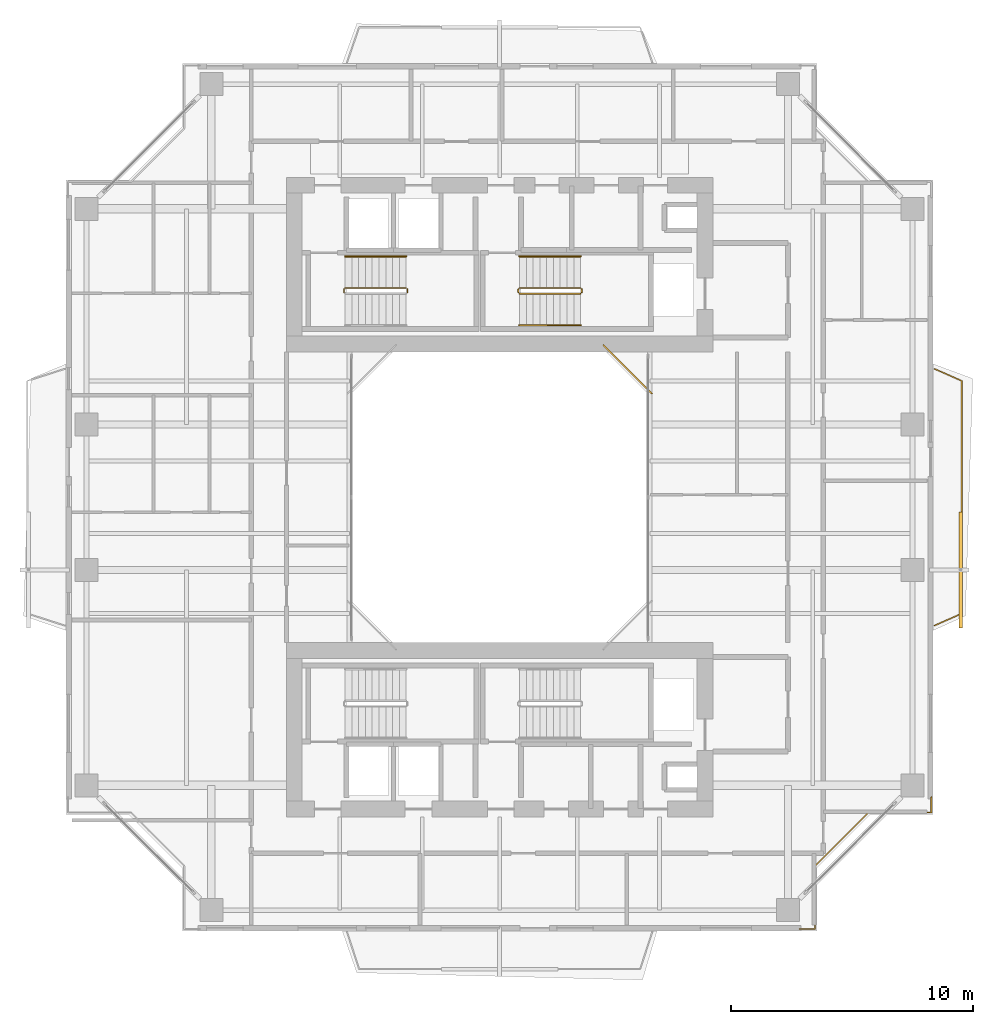
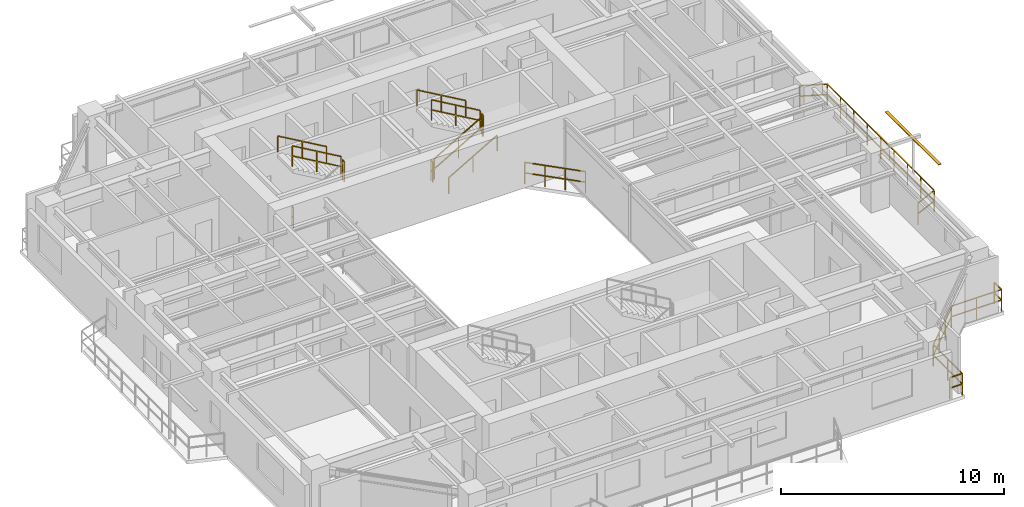
# One storey, part 16 of 17: 13 railings, 1 shading device.
"""IFC4 building model written with IfcOpenShell, lengths in metres."""

from ifc_helpers import new_model, si_unit, direction, frame, origin, origin_2d, place, context, subcontext, project, spatial, rectangle, extrude, source, transform, mapped, material, material_profile, profile_set, type_object, element, save


model = new_model("IFC4")

# Units and contexts
model_context = context("Model", 3, precision=1e-05, world=origin(), true_north=direction((0.0, 1.0)))
body_context = subcontext(model_context, "Body", "Model", "MODEL_VIEW")
ifc_project = project(units=[si_unit("LENGTHUNIT", "METRE"), si_unit("AREAUNIT", "SQUARE_METRE"), si_unit("VOLUMEUNIT", "CUBIC_METRE"), si_unit("PLANEANGLEUNIT", "RADIAN"), si_unit("MASSUNIT", "GRAM", prefix="KILO"), si_unit("THERMODYNAMICTEMPERATUREUNIT", "KELVIN"), si_unit("POWERUNIT", "WATT")], contexts=[model_context])

# Site, building, storey
site_placement = place(None, origin())
site = spatial("IfcSite", under=ifc_project, at=site_placement, CompositionType="ELEMENT")
building_placement = place(site_placement, origin())
building = spatial("IfcBuilding", under=site, at=building_placement, Name="Qiaomeng Ring Towers", CompositionType="ELEMENT")
storey_placement = place(building_placement, frame((0.0, 0.0, 150.25)))
storey = spatial("IfcBuildingStorey", under=building, at=storey_placement, Name="L43", CompositionType="ELEMENT", Elevation=150.25)

# Railings
ifc_material_1 = material(Name="Low-E pale-green laminated safety glass", Category="glass")
railing_type_1 = type_object("IfcRailingType", Name="ARC-RL-BAL1", PredefinedType="BALUSTRADE", material=ifc_material_1)
railing_1_placement = place(storey_placement, frame((25.280029296875, 27.280029296875, 0.0)))
element("IfcRailing", 1, at=railing_1_placement, inside=storey, type_object=railing_type_1, Name="L43 Balustrade ARC-BAL-WELL1-L43-2", PredefinedType="BALUSTRADE", context=body_context, shape_type="SweptSolid", body=[
    extrude(rectangle(XDim=0.048095703125, YDim=0.048095703125, at=origin_2d()), frame((0.0, 0.0, 1.17578125), z_axis=(-0.707106781187, 0.707106781187, 0.0), x_axis=(-0.707106781187, -0.707106781187, 0.0)), (0.0, 0.0, 1.0), 2.828369140625),
    extrude(rectangle(XDim=0.048095703125, YDim=0.048095703125, at=origin_2d()), frame((0.0, 0.0, 0.60009765625), z_axis=(-0.707106781187, 0.707106781187, 0.0), x_axis=(-0.707106781187, -0.707106781187, 0.0)), (0.0, 0.0, 1.0), 2.828369140625),
    extrude(rectangle(XDim=0.0419921875, YDim=0.0419921875, at=origin_2d()), origin(), (0.0, 0.0, 1.0), 1.15185546875),
    extrude(rectangle(XDim=0.0419921875, YDim=0.0419921875, at=origin_2d()), frame((-0.666748046875, 0.666748046875, 0.0)), (0.0, 0.0, 1.0), 1.15185546875),
    extrude(rectangle(XDim=0.0419921875, YDim=0.0419921875, at=origin_2d()), frame((-1.333251953125, 1.333251953125, 0.0)), (0.0, 0.0, 1.0), 1.15185546875),
    extrude(rectangle(XDim=0.0419921875, YDim=0.0419921875, at=origin_2d()), frame((-2.0, 2.0, 0.0)), (0.0, 0.0, 1.0), 1.15185546875),
])
railing_2_placement = place(storey_placement, frame((31.3701171875, 5.179931640625, 0.0)))
element("IfcRailing", 2, at=railing_2_placement, inside=storey, type_object=railing_type_1, Name="L43 Balustrade ARC-BAL-NOTCH1-L43-SE", PredefinedType="BALUSTRADE", context=body_context, shape_type="SweptSolid", body=[
    extrude(rectangle(XDim=0.048095703125, YDim=0.048095703125, at=origin_2d()), frame((0.0, 0.0, 1.17578125), z_axis=(1.0, 0.0, 0.0), x_axis=(0.0, 1.0, 0.0)), (0.0, 0.0, 1.0), 0.64990234375),
    extrude(rectangle(XDim=0.048095703125, YDim=0.048095703125, at=origin_2d()), frame((0.0, 0.0, 0.60009765625), z_axis=(1.0, 0.0, 0.0), x_axis=(0.0, 1.0, 0.0)), (0.0, 0.0, 1.0), 0.64990234375),
    extrude(rectangle(XDim=0.048095703125, YDim=0.048095703125, at=origin_2d()), frame((0.64990234375, 0.0, 1.17578125), z_axis=(0.0, 1.0, 0.0), x_axis=(-1.0, 0.0, 0.0)), (0.0, 0.0, 1.0), 2.60009765625),
    extrude(rectangle(XDim=0.048095703125, YDim=0.048095703125, at=origin_2d()), frame((0.64990234375, 0.0, 0.60009765625), z_axis=(0.0, 1.0, 0.0), x_axis=(-1.0, 0.0, 0.0)), (0.0, 0.0, 1.0), 2.60009765625),
    extrude(rectangle(XDim=0.048095703125, YDim=0.048095703125, at=origin_2d()), frame((0.64990234375, 2.60009765625, 1.17578125), z_axis=(0.707106781187, 0.707106781187, 0.0), x_axis=(-0.707106781187, 0.707106781187, 0.0)), (0.0, 0.0, 1.0), 3.111083984375),
    extrude(rectangle(XDim=0.048095703125, YDim=0.048095703125, at=origin_2d()), frame((0.64990234375, 2.60009765625, 0.60009765625), z_axis=(0.707106781187, 0.707106781187, 0.0), x_axis=(-0.707106781187, 0.707106781187, 0.0)), (0.0, 0.0, 1.0), 3.111083984375),
    extrude(rectangle(XDim=0.048095703125, YDim=0.048095703125, at=origin_2d()), frame((2.849853515625, 4.800048828125, 1.17578125), z_axis=(1.0, 0.0, 0.0), x_axis=(0.0, 1.0, 0.0)), (0.0, 0.0, 1.0), 2.60009765625),
    extrude(rectangle(XDim=0.048095703125, YDim=0.048095703125, at=origin_2d()), frame((2.849853515625, 4.800048828125, 0.60009765625), z_axis=(1.0, 0.0, 0.0), x_axis=(0.0, 1.0, 0.0)), (0.0, 0.0, 1.0), 2.60009765625),
    extrude(rectangle(XDim=0.048095703125, YDim=0.048095703125, at=origin_2d()), frame((5.449951171875, 4.800048828125, 1.17578125), z_axis=(0.0, 1.0, 0.0), x_axis=(-1.0, 0.0, 0.0)), (0.0, 0.0, 1.0), 0.64990234375),
    extrude(rectangle(XDim=0.048095703125, YDim=0.048095703125, at=origin_2d()), frame((5.449951171875, 4.800048828125, 0.60009765625), z_axis=(0.0, 1.0, 0.0), x_axis=(-1.0, 0.0, 0.0)), (0.0, 0.0, 1.0), 0.64990234375),
    extrude(rectangle(XDim=0.0419921875, YDim=0.0419921875, at=origin_2d()), origin(), (0.0, 0.0, 1.0), 1.15185546875),
    extrude(rectangle(XDim=0.0419921875, YDim=0.0419921875, at=origin_2d()), frame((0.64990234375, 0.0, 0.0)), (0.0, 0.0, 1.0), 1.15185546875),
    extrude(rectangle(XDim=0.0419921875, YDim=0.0419921875, at=origin_2d()), frame((0.64990234375, 1.300048828125, 0.0)), (0.0, 0.0, 1.0), 1.15185546875),
    extrude(rectangle(XDim=0.0419921875, YDim=0.0419921875, at=origin_2d()), frame((0.64990234375, 2.60009765625, 0.0)), (0.0, 0.0, 1.0), 1.15185546875),
    extrude(rectangle(XDim=0.0419921875, YDim=0.0419921875, at=origin_2d()), frame((1.38330078125, 3.33349609375, 0.0)), (0.0, 0.0, 1.0), 1.15185546875),
    extrude(rectangle(XDim=0.0419921875, YDim=0.0419921875, at=origin_2d()), frame((2.116455078125, 4.066650390625, 0.0)), (0.0, 0.0, 1.0), 1.15185546875),
    extrude(rectangle(XDim=0.0419921875, YDim=0.0419921875, at=origin_2d()), frame((2.849853515625, 4.800048828125, 0.0)), (0.0, 0.0, 1.0), 1.15185546875),
    extrude(rectangle(XDim=0.0419921875, YDim=0.0419921875, at=origin_2d()), frame((4.14990234375, 4.800048828125, 0.0)), (0.0, 0.0, 1.0), 1.15185546875),
    extrude(rectangle(XDim=0.0419921875, YDim=0.0419921875, at=origin_2d()), frame((5.449951171875, 4.800048828125, 0.0)), (0.0, 0.0, 1.0), 1.15185546875),
    extrude(rectangle(XDim=0.0419921875, YDim=0.0419921875, at=origin_2d()), frame((5.449951171875, 5.449951171875, 0.0)), (0.0, 0.0, 1.0), 1.15185546875),
])
railing_3_placement = place(storey_placement, frame((36.949951171875, 17.699951171875, 0.0)))
element("IfcRailing", 3, at=railing_3_placement, inside=storey, type_object=railing_type_1, Name="L43 Balustrade ARC-BAL-L43-T1-E", PredefinedType="BALUSTRADE", context=body_context, shape_type="SweptSolid", body=[
    extrude(rectangle(XDim=0.048095703125, YDim=0.048095703125, at=origin_2d()), frame((0.0, 0.0, 1.17578125), z_axis=(0.914494575002, 0.404598161504, 0.0), x_axis=(-0.404598161504, 0.914494575002, 0.0)), (0.0, 0.0, 1.0), 1.23583984375),
    extrude(rectangle(XDim=0.048095703125, YDim=0.048095703125, at=origin_2d()), frame((0.0, 0.0, 0.60009765625), z_axis=(0.914494575002, 0.404598161504, 0.0), x_axis=(-0.404598161504, 0.914494575002, 0.0)), (0.0, 0.0, 1.0), 1.23583984375),
    extrude(rectangle(XDim=0.048095703125, YDim=0.048095703125, at=origin_2d()), frame((1.130126953125, 0.5, 1.17578125), z_axis=(0.0, 1.0, 0.0), x_axis=(-1.0, 0.0, 0.0)), (0.0, 0.0, 1.0), 9.60009765625),
    extrude(rectangle(XDim=0.048095703125, YDim=0.048095703125, at=origin_2d()), frame((1.130126953125, 0.5, 0.60009765625), z_axis=(0.0, 1.0, 0.0), x_axis=(-1.0, 0.0, 0.0)), (0.0, 0.0, 1.0), 9.60009765625),
    extrude(rectangle(XDim=0.048095703125, YDim=0.048095703125, at=origin_2d()), frame((1.130126953125, 10.10009765625, 1.17578125), z_axis=(-0.914494575002, 0.404598161504, 0.0), x_axis=(-0.404598161504, -0.914494575002, 0.0)), (0.0, 0.0, 1.0), 1.23583984375),
    extrude(rectangle(XDim=0.048095703125, YDim=0.048095703125, at=origin_2d()), frame((1.130126953125, 10.10009765625, 0.60009765625), z_axis=(-0.914494575002, 0.404598161504, 0.0), x_axis=(-0.404598161504, -0.914494575002, 0.0)), (0.0, 0.0, 1.0), 1.23583984375),
    extrude(rectangle(XDim=0.0419921875, YDim=0.0419921875, at=origin_2d()), origin(), (0.0, 0.0, 1.0), 1.15185546875),
    extrude(rectangle(XDim=0.0419921875, YDim=0.0419921875, at=origin_2d()), frame((1.130126953125, 0.5, 0.0)), (0.0, 0.0, 1.0), 1.15185546875),
    extrude(rectangle(XDim=0.0419921875, YDim=0.0419921875, at=origin_2d()), frame((1.130126953125, 1.699951171875, 0.0)), (0.0, 0.0, 1.0), 1.15185546875),
    extrude(rectangle(XDim=0.0419921875, YDim=0.0419921875, at=origin_2d()), frame((1.130126953125, 2.89990234375, 0.0)), (0.0, 0.0, 1.0), 1.15185546875),
    extrude(rectangle(XDim=0.0419921875, YDim=0.0419921875, at=origin_2d()), frame((1.130126953125, 4.10009765625, 0.0)), (0.0, 0.0, 1.0), 1.15185546875),
    extrude(rectangle(XDim=0.0419921875, YDim=0.0419921875, at=origin_2d()), frame((1.130126953125, 5.300048828125, 0.0)), (0.0, 0.0, 1.0), 1.15185546875),
    extrude(rectangle(XDim=0.0419921875, YDim=0.0419921875, at=origin_2d()), frame((1.130126953125, 6.5, 0.0)), (0.0, 0.0, 1.0), 1.15185546875),
    extrude(rectangle(XDim=0.0419921875, YDim=0.0419921875, at=origin_2d()), frame((1.130126953125, 7.7001953125, 0.0)), (0.0, 0.0, 1.0), 1.15185546875),
    extrude(rectangle(XDim=0.0419921875, YDim=0.0419921875, at=origin_2d()), frame((1.130126953125, 8.900146484375, 0.0)), (0.0, 0.0, 1.0), 1.15185546875),
    extrude(rectangle(XDim=0.0419921875, YDim=0.0419921875, at=origin_2d()), frame((1.130126953125, 10.10009765625, 0.0)), (0.0, 0.0, 1.0), 1.15185546875),
    extrude(rectangle(XDim=0.0419921875, YDim=0.0419921875, at=origin_2d()), frame((0.0, 10.60009765625, 0.0)), (0.0, 0.0, 1.0), 1.15185546875),
])
ifc_material_2 = material(Name="Galvanised steel", Category="steel")
railing_type_2 = type_object("IfcRailingType", Name="ARC-RL-GUARD", PredefinedType="GUARDRAIL", material=ifc_material_2)
railing_4_placement = place(storey_placement, frame((15.18994140625, 31.449951171875, 1.625)))
element("IfcRailing", 4, at=railing_4_placement, inside=storey, type_object=railing_type_2, Name="L43 ST1 stair guard 2", PredefinedType="GUARDRAIL", context=body_context, shape_type="SweptSolid", body=[
    extrude(rectangle(XDim=0.048095703125, YDim=0.048095703125, at=origin_2d()), frame((0.0, 0.0, 1.1259765625), z_axis=(0.0, 1.0, 0.0), x_axis=(-1.0, 0.0, 0.0)), (0.0, 0.0, 1.0), 0.14013671875),
    extrude(rectangle(XDim=0.048095703125, YDim=0.048095703125, at=origin_2d()), frame((0.0, 0.0, 0.574951171875), z_axis=(0.0, 1.0, 0.0), x_axis=(-1.0, 0.0, 0.0)), (0.0, 0.0, 1.0), 0.14013671875),
    extrude(rectangle(XDim=0.0419921875, YDim=0.0419921875, at=origin_2d()), origin(), (0.0, 0.0, 1.0), 1.101806640625),
    extrude(rectangle(XDim=0.0419921875, YDim=0.0419921875, at=origin_2d()), frame((0.0, 0.14013671875, 0.0)), (0.0, 0.0, 1.0), 1.101806640625),
])
railing_5_placement = place(storey_placement, frame((15.139892578125, 31.639892578125, 1.78759765625)))
element("IfcRailing", 5, at=railing_5_placement, inside=storey, type_object=railing_type_2, Name="L43 ST1 stair guard 3", PredefinedType="GUARDRAIL", context=body_context, shape_type="SweptSolid", body=[
    extrude(rectangle(XDim=0.048095703125, YDim=0.048095703125, at=origin_2d()), frame((0.0, 0.0, 1.1259765625), z_axis=(-0.864892226395, 0.0, 0.501957604506), x_axis=(0.0, -1.0, 0.0)), (0.0, 0.0, 1.0), 2.913330078125),
    extrude(rectangle(XDim=0.048095703125, YDim=0.048095703125, at=origin_2d()), frame((0.0, 0.0, 0.574951171875), z_axis=(-0.864892226395, 0.0, 0.501957604506), x_axis=(0.0, -1.0, 0.0)), (0.0, 0.0, 1.0), 2.913330078125),
    extrude(rectangle(XDim=0.0419921875, YDim=0.0419921875, at=origin_2d()), origin(), (0.0, 0.0, 1.0), 1.101806640625),
    extrude(rectangle(XDim=0.0419921875, YDim=0.0419921875, at=origin_2d()), frame((-1.259765625, 0.0, 0.731201171875)), (0.0, 0.0, 1.0), 1.101806640625),
    extrude(rectangle(XDim=0.0419921875, YDim=0.0419921875, at=origin_2d()), frame((-2.519775390625, 0.0, 1.46240234375)), (0.0, 0.0, 1.0), 1.101806640625),
])
railing_6_placement = place(storey_placement, frame((12.570068359375, 31.449951171875, 0.0)))
element("IfcRailing", 6, at=railing_6_placement, inside=storey, type_object=railing_type_2, Name="L43 ST1 stair guard 4", PredefinedType="GUARDRAIL", context=body_context, shape_type="SweptSolid", body=[
    extrude(rectangle(XDim=0.048095703125, YDim=0.048095703125, at=origin_2d()), frame((0.0, 0.0, 1.1259765625), z_axis=(0.0, 1.0, 0.0), x_axis=(-1.0, 0.0, 0.0)), (0.0, 0.0, 1.0), 0.14013671875),
    extrude(rectangle(XDim=0.048095703125, YDim=0.048095703125, at=origin_2d()), frame((0.0, 0.0, 0.574951171875), z_axis=(0.0, 1.0, 0.0), x_axis=(-1.0, 0.0, 0.0)), (0.0, 0.0, 1.0), 0.14013671875),
    extrude(rectangle(XDim=0.0419921875, YDim=0.0419921875, at=origin_2d()), origin(), (0.0, 0.0, 1.0), 1.101806640625),
    extrude(rectangle(XDim=0.0419921875, YDim=0.0419921875, at=origin_2d()), frame((0.0, 0.14013671875, 0.0)), (0.0, 0.0, 1.0), 1.101806640625),
])
railing_7_placement = place(storey_placement, frame((19.820068359375, 31.39990234375, 0.16259765625)))
element("IfcRailing", 7, at=railing_7_placement, inside=storey, type_object=railing_type_2, Name="L43 ST2 stair guard 1", PredefinedType="GUARDRAIL", context=body_context, shape_type="SweptSolid", body=[
    extrude(rectangle(XDim=0.048095703125, YDim=0.048095703125, at=origin_2d()), frame((0.0, 0.0, 1.1259765625), z_axis=(0.864913338283, 0.0, 0.50192122615), x_axis=(0.0, 1.0, 0.0)), (0.0, 0.0, 1.0), 2.91357421875),
    extrude(rectangle(XDim=0.048095703125, YDim=0.048095703125, at=origin_2d()), frame((0.0, 0.0, 0.574951171875), z_axis=(0.864913338283, 0.0, 0.50192122615), x_axis=(0.0, 1.0, 0.0)), (0.0, 0.0, 1.0), 2.91357421875),
    extrude(rectangle(XDim=0.0419921875, YDim=0.0419921875, at=origin_2d()), origin(), (0.0, 0.0, 1.0), 1.101806640625),
    extrude(rectangle(XDim=0.0419921875, YDim=0.0419921875, at=origin_2d()), frame((1.260009765625, 0.0, 0.731201171875)), (0.0, 0.0, 1.0), 1.101806640625),
    extrude(rectangle(XDim=0.0419921875, YDim=0.0419921875, at=origin_2d()), frame((2.52001953125, 0.0, 1.46240234375)), (0.0, 0.0, 1.0), 1.101806640625),
])
railing_8_placement = place(storey_placement, frame((22.389892578125, 31.449951171875, 1.625)))
element("IfcRailing", 8, at=railing_8_placement, inside=storey, type_object=railing_type_2, Name="L43 ST2 stair guard 2", PredefinedType="GUARDRAIL", context=body_context, shape_type="SweptSolid", body=[
    extrude(rectangle(XDim=0.048095703125, YDim=0.048095703125, at=origin_2d()), frame((0.0, 0.0, 1.1259765625), z_axis=(0.0, 1.0, 0.0), x_axis=(-1.0, 0.0, 0.0)), (0.0, 0.0, 1.0), 0.14013671875),
    extrude(rectangle(XDim=0.048095703125, YDim=0.048095703125, at=origin_2d()), frame((0.0, 0.0, 0.574951171875), z_axis=(0.0, 1.0, 0.0), x_axis=(-1.0, 0.0, 0.0)), (0.0, 0.0, 1.0), 0.14013671875),
    extrude(rectangle(XDim=0.0419921875, YDim=0.0419921875, at=origin_2d()), origin(), (0.0, 0.0, 1.0), 1.101806640625),
    extrude(rectangle(XDim=0.0419921875, YDim=0.0419921875, at=origin_2d()), frame((0.0, 0.14013671875, 0.0)), (0.0, 0.0, 1.0), 1.101806640625),
])
railing_9_placement = place(storey_placement, frame((22.340087890625, 31.639892578125, 1.78759765625)))
element("IfcRailing", 9, at=railing_9_placement, inside=storey, type_object=railing_type_2, Name="L43 ST2 stair guard 3", PredefinedType="GUARDRAIL", context=body_context, shape_type="SweptSolid", body=[
    extrude(rectangle(XDim=0.048095703125, YDim=0.048095703125, at=origin_2d()), frame((0.0, 0.0, 1.1259765625), z_axis=(-0.864913338283, 0.0, 0.50192122615), x_axis=(0.0, -1.0, 0.0)), (0.0, 0.0, 1.0), 2.91357421875),
    extrude(rectangle(XDim=0.048095703125, YDim=0.048095703125, at=origin_2d()), frame((0.0, 0.0, 0.574951171875), z_axis=(-0.864913338283, 0.0, 0.50192122615), x_axis=(0.0, -1.0, 0.0)), (0.0, 0.0, 1.0), 2.91357421875),
    extrude(rectangle(XDim=0.0419921875, YDim=0.0419921875, at=origin_2d()), origin(), (0.0, 0.0, 1.0), 1.101806640625),
    extrude(rectangle(XDim=0.0419921875, YDim=0.0419921875, at=origin_2d()), frame((-1.260009765625, 0.0, 0.731201171875)), (0.0, 0.0, 1.0), 1.101806640625),
    extrude(rectangle(XDim=0.0419921875, YDim=0.0419921875, at=origin_2d()), frame((-2.52001953125, 0.0, 1.46240234375)), (0.0, 0.0, 1.0), 1.101806640625),
])
railing_10_placement = place(storey_placement, frame((19.77001953125, 31.449951171875, 0.0)))
element("IfcRailing", 10, at=railing_10_placement, inside=storey, type_object=railing_type_2, Name="L43 ST2 stair guard 4", PredefinedType="GUARDRAIL", context=body_context, shape_type="SweptSolid", body=[
    extrude(rectangle(XDim=0.048095703125, YDim=0.048095703125, at=origin_2d()), frame((0.0, 0.0, 1.1259765625), z_axis=(0.0, 1.0, 0.0), x_axis=(-1.0, 0.0, 0.0)), (0.0, 0.0, 1.0), 0.14013671875),
    extrude(rectangle(XDim=0.048095703125, YDim=0.048095703125, at=origin_2d()), frame((0.0, 0.0, 0.574951171875), z_axis=(0.0, 1.0, 0.0), x_axis=(-1.0, 0.0, 0.0)), (0.0, 0.0, 1.0), 0.14013671875),
    extrude(rectangle(XDim=0.0419921875, YDim=0.0419921875, at=origin_2d()), origin(), (0.0, 0.0, 1.0), 1.101806640625),
    extrude(rectangle(XDim=0.0419921875, YDim=0.0419921875, at=origin_2d()), frame((0.0, 0.14013671875, 0.0)), (0.0, 0.0, 1.0), 1.101806640625),
])
ifc_material_3 = material(Name="Stainless steel 316", Category="steel")
railing_type_3 = type_object("IfcRailingType", Name="ARC-RL-HAND", PredefinedType="HANDRAIL", material=ifc_material_3)
railing_11_placement = place(storey_placement, frame((15.139892578125, 32.93994140625, 1.78759765625)))
element("IfcRailing", 11, at=railing_11_placement, inside=storey, type_object=railing_type_3, Name="L43 ST1 stair handrail 2", PredefinedType="HANDRAIL", context=body_context, shape_type="SweptSolid", body=[
    extrude(rectangle(XDim=0.048095703125, YDim=0.048095703125, at=origin_2d()), frame((0.0, 0.0, 0.8759765625), z_axis=(-0.864892226395, 0.0, 0.501957604506), x_axis=(0.0, -1.0, 0.0)), (0.0, 0.0, 1.0), 2.913330078125),
    extrude(rectangle(XDim=0.0419921875, YDim=0.0419921875, at=origin_2d()), origin(), (0.0, 0.0, 1.0), 0.851806640625),
    extrude(rectangle(XDim=0.0419921875, YDim=0.0419921875, at=origin_2d()), frame((-1.259765625, 0.0, 0.731201171875)), (0.0, 0.0, 1.0), 0.851806640625),
    extrude(rectangle(XDim=0.0419921875, YDim=0.0419921875, at=origin_2d()), frame((-2.519775390625, 0.0, 1.46240234375)), (0.0, 0.0, 1.0), 0.851806640625),
])
railing_12_placement = place(storey_placement, frame((19.820068359375, 30.10009765625, 0.16259765625)))
element("IfcRailing", 12, at=railing_12_placement, inside=storey, type_object=railing_type_3, Name="L43 ST2 stair handrail 1", PredefinedType="HANDRAIL", context=body_context, shape_type="SweptSolid", body=[
    extrude(rectangle(XDim=0.048095703125, YDim=0.048095703125, at=origin_2d()), frame((0.0, 0.0, 0.8759765625), z_axis=(0.864913338283, 0.0, 0.50192122615), x_axis=(0.0, 1.0, 0.0)), (0.0, 0.0, 1.0), 2.91357421875),
    extrude(rectangle(XDim=0.0419921875, YDim=0.0419921875, at=origin_2d()), origin(), (0.0, 0.0, 1.0), 0.851806640625),
    extrude(rectangle(XDim=0.0419921875, YDim=0.0419921875, at=origin_2d()), frame((1.260009765625, 0.0, 0.731201171875)), (0.0, 0.0, 1.0), 0.851806640625),
    extrude(rectangle(XDim=0.0419921875, YDim=0.0419921875, at=origin_2d()), frame((2.52001953125, 0.0, 1.46240234375)), (0.0, 0.0, 1.0), 0.851806640625),
])
railing_13_placement = place(storey_placement, frame((22.340087890625, 32.93994140625, 1.78759765625)))
element("IfcRailing", 13, at=railing_13_placement, inside=storey, type_object=railing_type_3, Name="L43 ST2 stair handrail 2", PredefinedType="HANDRAIL", context=body_context, shape_type="SweptSolid", body=[
    extrude(rectangle(XDim=0.048095703125, YDim=0.048095703125, at=origin_2d()), frame((0.0, 0.0, 0.8759765625), z_axis=(-0.864913338283, 0.0, 0.50192122615), x_axis=(0.0, -1.0, 0.0)), (0.0, 0.0, 1.0), 2.91357421875),
    extrude(rectangle(XDim=0.0419921875, YDim=0.0419921875, at=origin_2d()), origin(), (0.0, 0.0, 1.0), 0.851806640625),
    extrude(rectangle(XDim=0.0419921875, YDim=0.0419921875, at=origin_2d()), frame((-1.260009765625, 0.0, 0.731201171875)), (0.0, 0.0, 1.0), 0.851806640625),
    extrude(rectangle(XDim=0.0419921875, YDim=0.0419921875, at=origin_2d()), frame((-2.52001953125, 0.0, 1.46240234375)), (0.0, 0.0, 1.0), 0.851806640625),
])

# Shading device
ifc_material_4 = material(Name="Fluorocarbon dark-grey aluminium", Category="aluminium")
ifc_material_profile = material_profile(ifc_material_4, rectangle(XDim=0.14990234375, YDim=0.034912109375, at=origin_2d()), Name="LV BLADE 150x35")
ifc_profile_set = profile_set([ifc_material_profile], Name="Fluorocarbon dark-grey aluminium")
shading_device_type = type_object("IfcShadingDeviceType", Name="ARC-SHD-SUN", PredefinedType="AWNING", material=ifc_profile_set)
shared_shape = source(origin(), body_context, "Body", "SweptSolid", [
    extrude(rectangle(XDim=0.14990234375, YDim=0.034912109375, at=origin_2d()), origin(), (0.0, 0.0, 1.0), 4.7998046875),
])
shading_device_placement = place(storey_placement, frame((38.030029296875, 17.60009765625, 2.969970703125), z_axis=(0.0, 1.0, 0.0), x_axis=(-1.0, 0.0, 0.0)))
element("IfcShadingDevice", 14, at=shading_device_placement, inside=storey, type_object=shading_device_type, Name="L43 Ventilated Outer-Skin Sunshade E", PredefinedType="AWNING", context=body_context, shape_type="MappedRepresentation", body=[
    mapped(shared_shape, transform((0.0, 0.0, 0.0), x_axis=(1.0, 0.0, 0.0), y_axis=(0.0, 1.0, 0.0), z_axis=(0.0, 0.0, 1.0), scale=1.0)),
])

save(model, "model.ifc")
